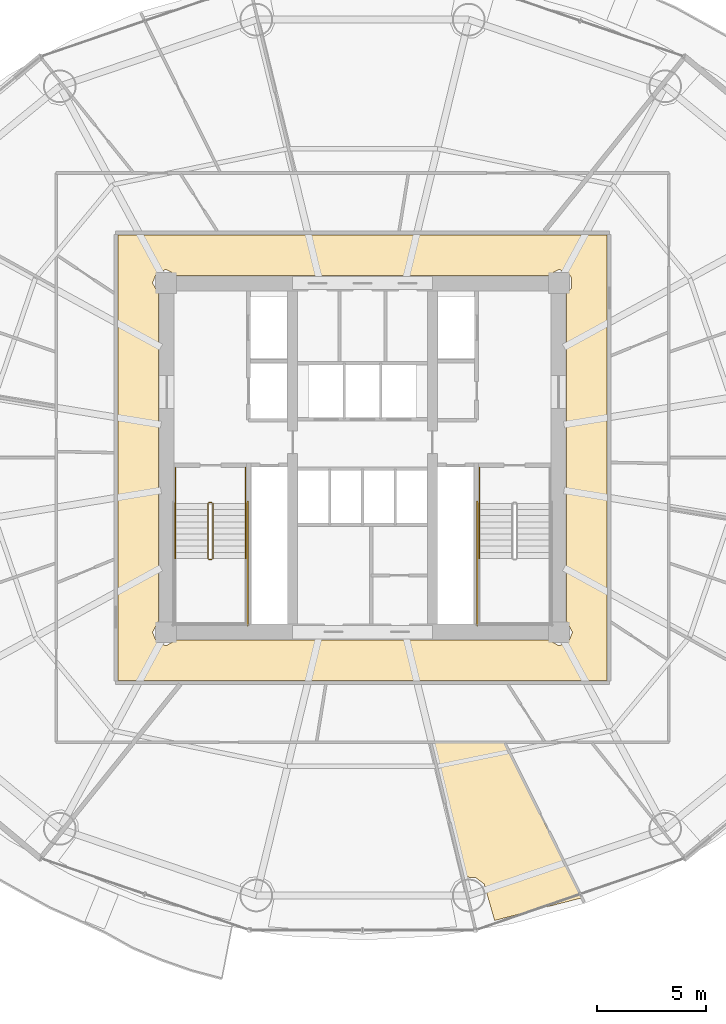
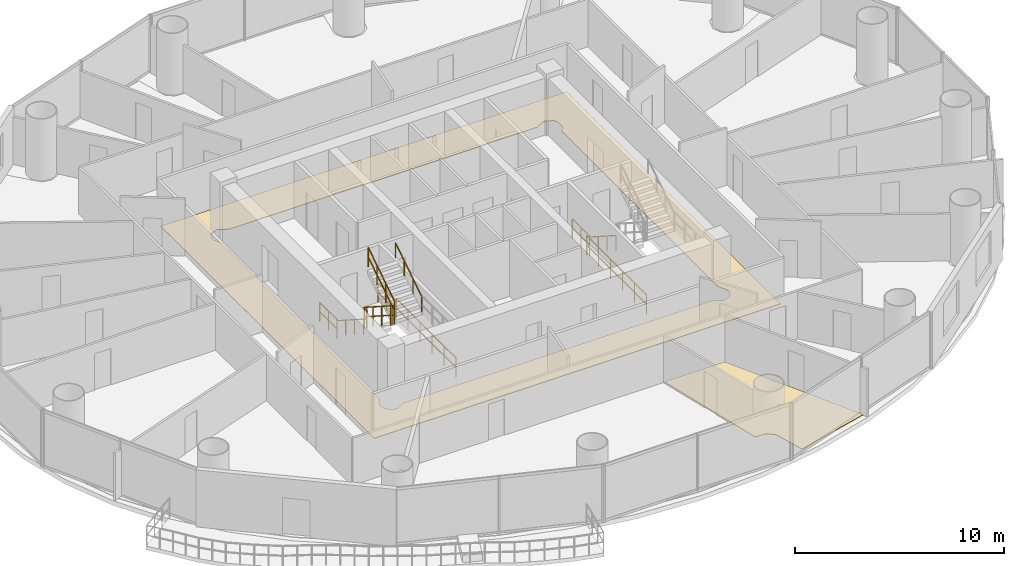
# One storey, part 27 of 29: 12 railings, 2 coverings.
"""IFC4 building model written with IfcOpenShell, lengths in metres."""

from ifc_helpers import new_model, si_unit, direction, frame, origin, origin_2d, place, context, subcontext, project, spatial, polyline, rectangle, outline, extrude, material, layer, layer_set, type_object, element, save


model = new_model("IFC4")

# Units and contexts
model_context = context("Model", 3, precision=1e-05, world=origin(), true_north=direction((-0.2419218956, 0.970295726276)))
body_context = subcontext(model_context, "Body", "Model", "MODEL_VIEW")
ifc_project = project(units=[si_unit("LENGTHUNIT", "METRE"), si_unit("AREAUNIT", "SQUARE_METRE"), si_unit("VOLUMEUNIT", "CUBIC_METRE"), si_unit("PLANEANGLEUNIT", "RADIAN"), si_unit("MASSUNIT", "GRAM", prefix="KILO")], contexts=[model_context])

# Site, building, storey
site_placement = place(None, origin())
site = spatial("IfcSite", under=ifc_project, at=site_placement, CompositionType="ELEMENT")
building_placement = place(site_placement, origin())
building = spatial("IfcBuilding", under=site, at=building_placement, Name="Cobrevalo Terracotta Tower", CompositionType="ELEMENT")
storey_placement = place(building_placement, frame((0.0, 0.0, 119.39990234375)))
storey = spatial("IfcBuildingStorey", under=building, at=storey_placement, Name="L31", CompositionType="ELEMENT", Elevation=119.39990234375)

# Coverings
ifc_material_1 = material(Name="Engineered Brazilian hardwood flooring", Category="wood")
ifc_layer_1 = layer(ifc_material_1, 0.028076171875)
ifc_layer_set_1 = layer_set([ifc_layer_1], Name="Engineered Brazilian hardwood flooring")
covering_type_1 = type_object("IfcCoveringType", Name="Engineered Hardwood Suite Flooring 28", PredefinedType="FLOORING", material=ifc_layer_set_1)
covering_1_placement = place(storey_placement, origin())
element("IfcCovering", 1, at=covering_1_placement, inside=storey, type_object=covering_type_1, Name="Flat L31B Master Bedroom floor finish", PredefinedType="FLOORING", context=body_context, shape_type="SweptSolid", body=[
    extrude(outline(polyline([(44.05078125, 5.59814453125), (43.578125, 7.261962890625), (43.170166015625, 7.5693359375), (42.62109375, 7.584716796875), (41.146240234375, 13.7451171875), (44.486328125, 13.7451171875), (48.033447265625, 6.630126953125), (44.05078125, 5.59814453125)])), origin(), (0.0, 0.0, 1.0), 0.030029296875),
])
ifc_material_2 = material(Name="Honed terracotta and granite tile", Category="masonry")
ifc_layer_2 = layer(ifc_material_2, 0.034912109375)
ifc_layer_set_2 = layer_set([ifc_layer_2], Name="Honed terracotta and granite tile")
covering_type_2 = type_object("IfcCoveringType", Name="Honed Terracotta & Granite Interior Flooring 35", PredefinedType="FLOORING", material=ifc_layer_set_2)
covering_2_placement = place(storey_placement, origin())
element("IfcCovering", 2, at=covering_2_placement, inside=storey, type_object=covering_type_2, Name="L31 Residential Floor Corridor floor finish", PredefinedType="FLOORING", context=body_context, shape_type="SweptSolid", body=[
    extrude(outline(polyline([(49.205078125, 37.0048828125), (49.205078125, 16.594970703125), (26.794921875, 16.594970703125), (26.794921875, 37.0048828125), (49.205078125, 37.0048828125)]), holes=[polyline([(47.344970703125, 34.298828125), (47.5732421875, 34.5625), (47.5732421875, 35.037353515625), (47.438720703125, 35.23876953125), (47.0, 35.42041015625), (46.498779296875, 35.14501953125), (29.501220703125, 35.14501953125), (29.0, 35.42041015625), (28.561279296875, 35.23876953125), (28.379638671875, 34.800048828125), (28.655029296875, 34.298828125), (28.655029296875, 19.30126953125), (28.379638671875, 18.800048828125), (28.561279296875, 18.361328125), (29.0, 18.1796875), (29.501220703125, 18.455078125), (46.498779296875, 18.455078125), (47.0, 18.1796875), (47.438720703125, 18.361328125), (47.620361328125, 18.800048828125), (47.344970703125, 19.30126953125), (47.344970703125, 34.298828125)])]), origin(), (0.0, 0.0, 1.0), 0.030029296875),
])

# Railings
ifc_material_3 = material(Name="Brushed stainless steel", Category="steel")
railing_type_1 = type_object("IfcRailingType", Name="Stainless Steel Stair Handrail 900", PredefinedType="HANDRAIL", material=ifc_material_3)
railing_1_placement = place(storey_placement, frame((29.425048828125, 24.699951171875, 0.18017578125)))
element("IfcRailing", 3, at=railing_1_placement, inside=storey, type_object=railing_type_1, Name="L31 ST-1 stair handrail 1", PredefinedType="HANDRAIL", context=body_context, shape_type="SweptSolid", body=[
    extrude(rectangle(XDim=0.048095703125, YDim=0.048095703125, at=origin_2d()), frame((0.0, 0.0, 0.8759765625), z_axis=(0.0, -0.841199657755, 0.540724639528), x_axis=(1.0, 0.0, 0.0)), (0.0, 0.0, 1.0), 2.995849609375),
    extrude(rectangle(XDim=0.0419921875, YDim=0.0419921875, at=origin_2d()), origin(), (0.0, 0.0, 1.0), 0.851806640625),
    extrude(rectangle(XDim=0.0419921875, YDim=0.0419921875, at=origin_2d()), frame((0.0, -0.840087890625, 0.5400390625)), (0.0, 0.0, 1.0), 0.851806640625),
    extrude(rectangle(XDim=0.0419921875, YDim=0.0419921875, at=origin_2d()), frame((0.0, -1.679931640625, 1.079833984375)), (0.0, 0.0, 1.0), 0.851806640625),
    extrude(rectangle(XDim=0.0419921875, YDim=0.0419921875, at=origin_2d()), frame((0.0, -2.52001953125, 1.619873046875)), (0.0, 0.0, 1.0), 0.851806640625),
])
railing_2_placement = place(storey_placement, frame((32.64501953125, 22.179931640625, 1.97998046875)))
element("IfcRailing", 4, at=railing_2_placement, inside=storey, type_object=railing_type_1, Name="L31 ST-1 stair handrail 2", PredefinedType="HANDRAIL", context=body_context, shape_type="SweptSolid", body=[
    extrude(rectangle(XDim=0.048095703125, YDim=0.048095703125, at=origin_2d()), frame((0.0, 0.0, 0.8759765625), z_axis=(0.0, 0.841162588446, 0.540782303519), x_axis=(-1.0, 0.0, 0.0)), (0.0, 0.0, 1.0), 2.995849609375),
    extrude(rectangle(XDim=0.0419921875, YDim=0.0419921875, at=origin_2d()), origin(), (0.0, 0.0, 1.0), 0.851806640625),
    extrude(rectangle(XDim=0.0419921875, YDim=0.0419921875, at=origin_2d()), frame((0.0, 0.840087890625, 0.5400390625)), (0.0, 0.0, 1.0), 0.851806640625),
    extrude(rectangle(XDim=0.0419921875, YDim=0.0419921875, at=origin_2d()), frame((0.0, 1.679931640625, 1.080078125)), (0.0, 0.0, 1.0), 0.851806640625),
    extrude(rectangle(XDim=0.0419921875, YDim=0.0419921875, at=origin_2d()), frame((0.0, 2.52001953125, 1.6201171875)), (0.0, 0.0, 1.0), 0.851806640625),
])
railing_3_placement = place(storey_placement, frame((43.35498046875, 24.699951171875, 0.18017578125)))
element("IfcRailing", 5, at=railing_3_placement, inside=storey, type_object=railing_type_1, Name="L31 ST-2 stair handrail 1", PredefinedType="HANDRAIL", context=body_context, shape_type="SweptSolid", body=[
    extrude(rectangle(XDim=0.048095703125, YDim=0.048095703125, at=origin_2d()), frame((0.0, 0.0, 0.8759765625), z_axis=(0.0, -0.841199657755, 0.540724639528), x_axis=(1.0, 0.0, 0.0)), (0.0, 0.0, 1.0), 2.995849609375),
    extrude(rectangle(XDim=0.0419921875, YDim=0.0419921875, at=origin_2d()), origin(), (0.0, 0.0, 1.0), 0.851806640625),
    extrude(rectangle(XDim=0.0419921875, YDim=0.0419921875, at=origin_2d()), frame((0.0, -0.840087890625, 0.5400390625)), (0.0, 0.0, 1.0), 0.851806640625),
    extrude(rectangle(XDim=0.0419921875, YDim=0.0419921875, at=origin_2d()), frame((0.0, -1.679931640625, 1.079833984375)), (0.0, 0.0, 1.0), 0.851806640625),
    extrude(rectangle(XDim=0.0419921875, YDim=0.0419921875, at=origin_2d()), frame((0.0, -2.52001953125, 1.619873046875)), (0.0, 0.0, 1.0), 0.851806640625),
])
ifc_material_4 = material(Name="Painted galvanized steel", Category="steel")
railing_type_2 = type_object("IfcRailingType", Name="Stair Well Guard Balustrade 1150", PredefinedType="GUARDRAIL", material=ifc_material_4)
railing_4_placement = place(storey_placement, frame((30.925048828125, 24.699951171875, 0.18017578125)))
element("IfcRailing", 6, at=railing_4_placement, inside=storey, type_object=railing_type_2, Name="L31 ST-1 stair guard 1", PredefinedType="GUARDRAIL", context=body_context, shape_type="SweptSolid", body=[
    extrude(rectangle(XDim=0.048095703125, YDim=0.048095703125, at=origin_2d()), frame((0.0, 0.0, 1.1259765625), z_axis=(0.0, -0.841199657755, 0.540724639528), x_axis=(1.0, 0.0, 0.0)), (0.0, 0.0, 1.0), 2.995849609375),
    extrude(rectangle(XDim=0.048095703125, YDim=0.048095703125, at=origin_2d()), frame((0.0, 0.0, 0.574951171875), z_axis=(0.0, -0.841199657755, 0.540724639528), x_axis=(1.0, 0.0, 0.0)), (0.0, 0.0, 1.0), 2.995849609375),
    extrude(rectangle(XDim=0.0419921875, YDim=0.0419921875, at=origin_2d()), origin(), (0.0, 0.0, 1.0), 1.101806640625),
    extrude(rectangle(XDim=0.0419921875, YDim=0.0419921875, at=origin_2d()), frame((0.0, -0.840087890625, 0.5400390625)), (0.0, 0.0, 1.0), 1.101806640625),
    extrude(rectangle(XDim=0.0419921875, YDim=0.0419921875, at=origin_2d()), frame((0.0, -1.679931640625, 1.079833984375)), (0.0, 0.0, 1.0), 1.101806640625),
    extrude(rectangle(XDim=0.0419921875, YDim=0.0419921875, at=origin_2d()), frame((0.0, -2.52001953125, 1.619873046875)), (0.0, 0.0, 1.0), 1.101806640625),
])
railing_5_placement = place(storey_placement, frame((30.97509765625, 22.1298828125, 1.800048828125)))
element("IfcRailing", 7, at=railing_5_placement, inside=storey, type_object=railing_type_2, Name="L31 ST-1 stair guard 2", PredefinedType="GUARDRAIL", context=body_context, shape_type="SweptSolid", body=[
    extrude(rectangle(XDim=0.048095703125, YDim=0.048095703125, at=origin_2d()), frame((0.0, 0.0, 1.1259765625), z_axis=(1.0, 0.0, 0.0), x_axis=(0.0, 1.0, 0.0)), (0.0, 0.0, 1.0), 0.119873046875),
    extrude(rectangle(XDim=0.048095703125, YDim=0.048095703125, at=origin_2d()), frame((0.0, 0.0, 0.574951171875), z_axis=(1.0, 0.0, 0.0), x_axis=(0.0, 1.0, 0.0)), (0.0, 0.0, 1.0), 0.119873046875),
    extrude(rectangle(XDim=0.0419921875, YDim=0.0419921875, at=origin_2d()), origin(), (0.0, 0.0, 1.0), 1.101806640625),
    extrude(rectangle(XDim=0.0419921875, YDim=0.0419921875, at=origin_2d()), frame((0.119873046875, 0.0, 0.0)), (0.0, 0.0, 1.0), 1.101806640625),
])
railing_6_placement = place(storey_placement, frame((31.14501953125, 22.179931640625, 1.97998046875)))
element("IfcRailing", 8, at=railing_6_placement, inside=storey, type_object=railing_type_2, Name="L31 ST-1 stair guard 6", PredefinedType="GUARDRAIL", context=body_context, shape_type="SweptSolid", body=[
    extrude(rectangle(XDim=0.048095703125, YDim=0.048095703125, at=origin_2d()), frame((0.0, 0.0, 1.1259765625), z_axis=(0.0, 0.841162588446, 0.540782303519), x_axis=(-1.0, 0.0, 0.0)), (0.0, 0.0, 1.0), 2.995849609375),
    extrude(rectangle(XDim=0.048095703125, YDim=0.048095703125, at=origin_2d()), frame((0.0, 0.0, 0.574951171875), z_axis=(0.0, 0.841162588446, 0.540782303519), x_axis=(-1.0, 0.0, 0.0)), (0.0, 0.0, 1.0), 2.995849609375),
    extrude(rectangle(XDim=0.0419921875, YDim=0.0419921875, at=origin_2d()), origin(), (0.0, 0.0, 1.0), 1.101806640625),
    extrude(rectangle(XDim=0.0419921875, YDim=0.0419921875, at=origin_2d()), frame((0.0, 0.840087890625, 0.5400390625)), (0.0, 0.0, 1.0), 1.101806640625),
    extrude(rectangle(XDim=0.0419921875, YDim=0.0419921875, at=origin_2d()), frame((0.0, 1.679931640625, 1.080078125)), (0.0, 0.0, 1.0), 1.101806640625),
    extrude(rectangle(XDim=0.0419921875, YDim=0.0419921875, at=origin_2d()), frame((0.0, 2.52001953125, 1.6201171875)), (0.0, 0.0, 1.0), 1.101806640625),
])
railing_7_placement = place(storey_placement, frame((30.97509765625, 24.75, 0.0)))
element("IfcRailing", 9, at=railing_7_placement, inside=storey, type_object=railing_type_2, Name="L31 ST-1 stair guard 7", PredefinedType="GUARDRAIL", context=body_context, shape_type="SweptSolid", body=[
    extrude(rectangle(XDim=0.048095703125, YDim=0.048095703125, at=origin_2d()), frame((0.0, 0.0, 1.1259765625), z_axis=(1.0, 0.0, 0.0), x_axis=(0.0, 1.0, 0.0)), (0.0, 0.0, 1.0), 0.119873046875),
    extrude(rectangle(XDim=0.048095703125, YDim=0.048095703125, at=origin_2d()), frame((0.0, 0.0, 0.574951171875), z_axis=(1.0, 0.0, 0.0), x_axis=(0.0, 1.0, 0.0)), (0.0, 0.0, 1.0), 0.119873046875),
    extrude(rectangle(XDim=0.0419921875, YDim=0.0419921875, at=origin_2d()), origin(), (0.0, 0.0, 1.0), 1.101806640625),
    extrude(rectangle(XDim=0.0419921875, YDim=0.0419921875, at=origin_2d()), frame((0.119873046875, 0.0, 0.0)), (0.0, 0.0, 1.0), 1.101806640625),
])
for number, where, name in (
    (10, (29.425048828125, 26.35009765625, 0.0), "L31 ST-1 stair guard 8"),
    (11, (32.64501953125, 26.35009765625, 0.0), "L31 ST-1 stair guard 9"),
):
    element("IfcRailing", number, at=place(storey_placement, frame(where)), inside=storey, type_object=railing_type_2, Name=name, PredefinedType="GUARDRAIL", context=body_context, shape_type="SweptSolid", body=[
        extrude(rectangle(XDim=0.048095703125, YDim=0.048095703125, at=origin_2d()), frame((0.0, 0.0, 1.1259765625), z_axis=(0.0, -1.0, 0.0), x_axis=(1.0, 0.0, 0.0)), (0.0, 0.0, 1.0), 1.650146484375),
        extrude(rectangle(XDim=0.048095703125, YDim=0.048095703125, at=origin_2d()), frame((0.0, 0.0, 0.574951171875), z_axis=(0.0, -1.0, 0.0), x_axis=(1.0, 0.0, 0.0)), (0.0, 0.0, 1.0), 1.650146484375),
        extrude(rectangle(XDim=0.0419921875, YDim=0.0419921875, at=origin_2d()), origin(), (0.0, 0.0, 1.0), 1.101806640625),
        extrude(rectangle(XDim=0.0419921875, YDim=0.0419921875, at=origin_2d()), frame((0.0, -0.8251953125, 0.0)), (0.0, 0.0, 1.0), 1.101806640625),
        extrude(rectangle(XDim=0.0419921875, YDim=0.0419921875, at=origin_2d()), frame((0.0, -1.650146484375, 0.0)), (0.0, 0.0, 1.0), 1.101806640625),
    ])
railing_8_placement = place(storey_placement, frame((32.7451171875, 24.800048828125, 0.0)))
element("IfcRailing", 12, at=railing_8_placement, inside=storey, type_object=railing_type_2, Name="L31 ST-1 stair guard 11", PredefinedType="GUARDRAIL", context=body_context, shape_type="SweptSolid", body=[
    extrude(rectangle(XDim=0.048095703125, YDim=0.048095703125, at=origin_2d()), frame((0.0, 0.0, 1.1259765625), z_axis=(0.0, -1.0, 0.0), x_axis=(1.0, 0.0, 0.0)), (0.0, 0.0, 1.0), 5.72509765625),
    extrude(rectangle(XDim=0.048095703125, YDim=0.048095703125, at=origin_2d()), frame((0.0, 0.0, 0.574951171875), z_axis=(0.0, -1.0, 0.0), x_axis=(1.0, 0.0, 0.0)), (0.0, 0.0, 1.0), 5.72509765625),
    extrude(rectangle(XDim=0.0419921875, YDim=0.0419921875, at=origin_2d()), origin(), (0.0, 0.0, 1.0), 1.101806640625),
    extrude(rectangle(XDim=0.0419921875, YDim=0.0419921875, at=origin_2d()), frame((0.0, -1.14501953125, 0.0)), (0.0, 0.0, 1.0), 1.101806640625),
    extrude(rectangle(XDim=0.0419921875, YDim=0.0419921875, at=origin_2d()), frame((0.0, -2.2900390625, 0.0)), (0.0, 0.0, 1.0), 1.101806640625),
    extrude(rectangle(XDim=0.0419921875, YDim=0.0419921875, at=origin_2d()), frame((0.0, -3.43505859375, 0.0)), (0.0, 0.0, 1.0), 1.101806640625),
    extrude(rectangle(XDim=0.0419921875, YDim=0.0419921875, at=origin_2d()), frame((0.0, -4.580078125, 0.0)), (0.0, 0.0, 1.0), 1.101806640625),
    extrude(rectangle(XDim=0.0419921875, YDim=0.0419921875, at=origin_2d()), frame((0.0, -5.72509765625, 0.0)), (0.0, 0.0, 1.0), 1.101806640625),
])
railing_9_placement = place(storey_placement, frame((43.35498046875, 26.35009765625, 0.0)))
element("IfcRailing", 13, at=railing_9_placement, inside=storey, type_object=railing_type_2, Name="L31 ST-2 stair guard 8", PredefinedType="GUARDRAIL", context=body_context, shape_type="SweptSolid", body=[
    extrude(rectangle(XDim=0.048095703125, YDim=0.048095703125, at=origin_2d()), frame((0.0, 0.0, 1.1259765625), z_axis=(0.0, -1.0, 0.0), x_axis=(1.0, 0.0, 0.0)), (0.0, 0.0, 1.0), 1.650146484375),
    extrude(rectangle(XDim=0.048095703125, YDim=0.048095703125, at=origin_2d()), frame((0.0, 0.0, 0.574951171875), z_axis=(0.0, -1.0, 0.0), x_axis=(1.0, 0.0, 0.0)), (0.0, 0.0, 1.0), 1.650146484375),
    extrude(rectangle(XDim=0.0419921875, YDim=0.0419921875, at=origin_2d()), origin(), (0.0, 0.0, 1.0), 1.101806640625),
    extrude(rectangle(XDim=0.0419921875, YDim=0.0419921875, at=origin_2d()), frame((0.0, -0.8251953125, 0.0)), (0.0, 0.0, 1.0), 1.101806640625),
    extrude(rectangle(XDim=0.0419921875, YDim=0.0419921875, at=origin_2d()), frame((0.0, -1.650146484375, 0.0)), (0.0, 0.0, 1.0), 1.101806640625),
])
railing_10_placement = place(storey_placement, frame((43.2548828125, 24.800048828125, 0.0)))
element("IfcRailing", 14, at=railing_10_placement, inside=storey, type_object=railing_type_2, Name="L31 ST-2 stair guard 10", PredefinedType="GUARDRAIL", context=body_context, shape_type="SweptSolid", body=[
    extrude(rectangle(XDim=0.048095703125, YDim=0.048095703125, at=origin_2d()), frame((0.0, 0.0, 1.1259765625), z_axis=(0.0, -1.0, 0.0), x_axis=(1.0, 0.0, 0.0)), (0.0, 0.0, 1.0), 5.72509765625),
    extrude(rectangle(XDim=0.048095703125, YDim=0.048095703125, at=origin_2d()), frame((0.0, 0.0, 0.574951171875), z_axis=(0.0, -1.0, 0.0), x_axis=(1.0, 0.0, 0.0)), (0.0, 0.0, 1.0), 5.72509765625),
    extrude(rectangle(XDim=0.0419921875, YDim=0.0419921875, at=origin_2d()), origin(), (0.0, 0.0, 1.0), 1.101806640625),
    extrude(rectangle(XDim=0.0419921875, YDim=0.0419921875, at=origin_2d()), frame((0.0, -1.14501953125, 0.0)), (0.0, 0.0, 1.0), 1.101806640625),
    extrude(rectangle(XDim=0.0419921875, YDim=0.0419921875, at=origin_2d()), frame((0.0, -2.2900390625, 0.0)), (0.0, 0.0, 1.0), 1.101806640625),
    extrude(rectangle(XDim=0.0419921875, YDim=0.0419921875, at=origin_2d()), frame((0.0, -3.43505859375, 0.0)), (0.0, 0.0, 1.0), 1.101806640625),
    extrude(rectangle(XDim=0.0419921875, YDim=0.0419921875, at=origin_2d()), frame((0.0, -4.580078125, 0.0)), (0.0, 0.0, 1.0), 1.101806640625),
    extrude(rectangle(XDim=0.0419921875, YDim=0.0419921875, at=origin_2d()), frame((0.0, -5.72509765625, 0.0)), (0.0, 0.0, 1.0), 1.101806640625),
])

save(model, "model.ifc")
